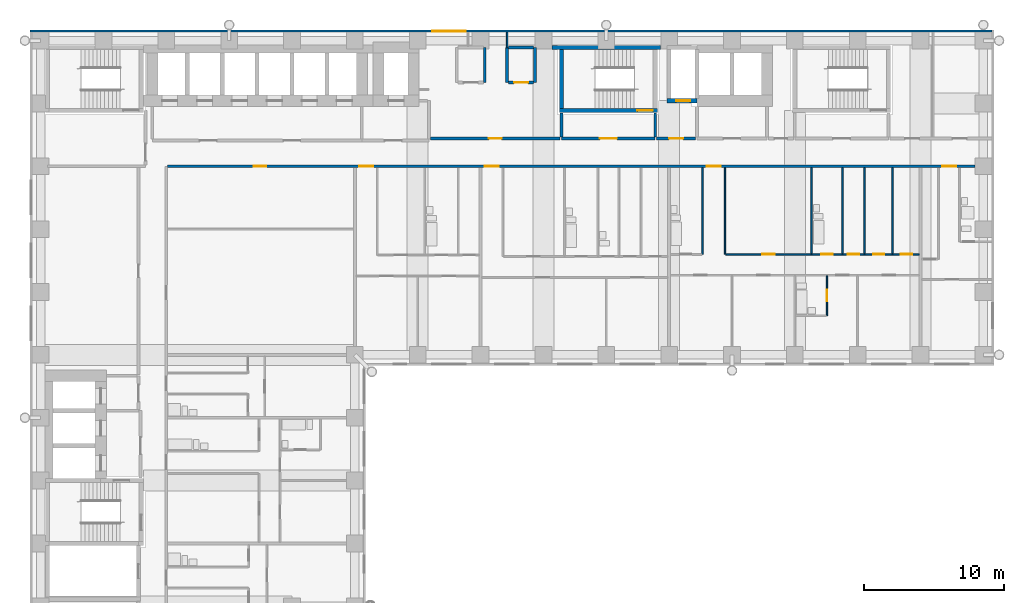
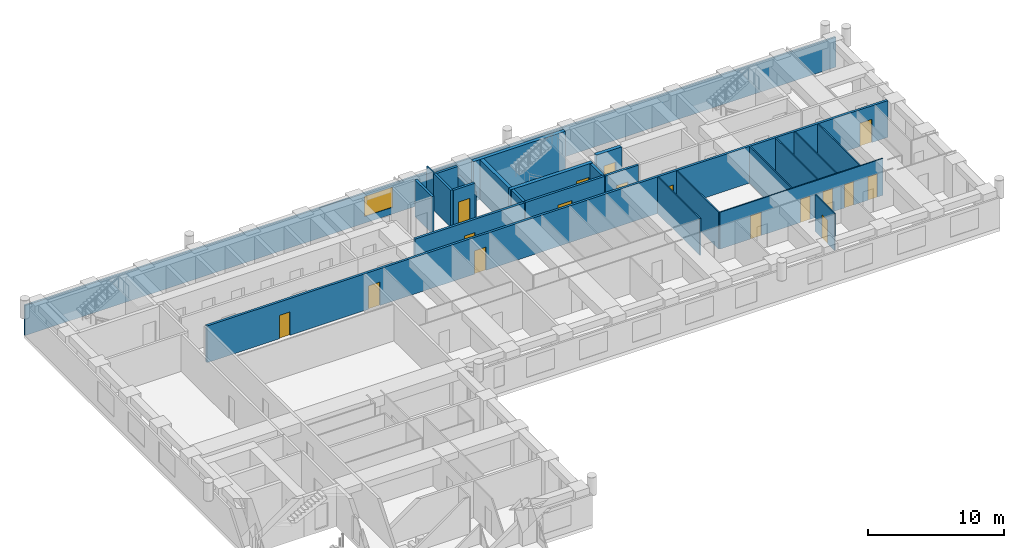
# One storey, part 10 of 14: 25 walls, 17 doors, 1 window, 18 openings.
"""IFC4 building model written with IfcOpenShell, lengths in metres."""

from ifc_helpers import new_model, si_unit, direction, frame, frame_2d, origin, place, context, subcontext, project, spatial, rectangle, extrude, material, layer, layer_set, type_object, element, fill, save


model = new_model("IFC4")

# Units and contexts
model_context = context("Model", 3, precision=1e-05, world=origin(), true_north=direction((0.0, 1.0)))
body_context = subcontext(model_context, "Body", "Model", "MODEL_VIEW")
ifc_project = project(units=[si_unit("LENGTHUNIT", "METRE"), si_unit("AREAUNIT", "SQUARE_METRE"), si_unit("VOLUMEUNIT", "CUBIC_METRE"), si_unit("PLANEANGLEUNIT", "RADIAN"), si_unit("MASSUNIT", "GRAM", prefix="KILO")], contexts=[model_context])

# Site, building, storey
site_placement = place(None, origin())
site = spatial("IfcSite", under=ifc_project, at=site_placement, CompositionType="ELEMENT")
building_placement = place(site_placement, origin())
building = spatial("IfcBuilding", under=site, at=building_placement, Name="Firuza Court", CompositionType="ELEMENT")
storey_placement = place(building_placement, frame((0.0, 0.0, 90.199951171875)))
storey = spatial("IfcBuildingStorey", under=building, at=storey_placement, Name="L22", CompositionType="ELEMENT", Elevation=90.199951171875)

# Wall, opening, door
ifc_material_1 = material(Name="Moisture-resistant gypsum board partition")
ifc_layer_1 = layer(ifc_material_1, 0.10009765625)
ifc_layer_set_1 = layer_set([ifc_layer_1], Name="Moisture-resistant gypsum board partition")
wall_type_1 = type_object("IfcWallType", Name="Bathroom partition 100", PredefinedType="PLUMBINGWALL", material=ifc_layer_set_1)
wall_1_placement = place(storey_placement, frame((56.300048828125, 38.800048828125, 0.0), z_axis=(0.0, 0.0, 1.0), x_axis=(0.0, 1.0, 0.0)))
wall_1 = element("IfcWall", 1, at=wall_1_placement, inside=storey, type_object=wall_type_1, Name="Bathroom partition 100 L22", PredefinedType="PLUMBINGWALL", context=body_context, shape_type="SweptSolid", body=[
    extrude(rectangle(XDim=2.849853515625, YDim=0.10009765625, at=frame_2d((1.4248046875, 0.0))), origin(), (0.0, 0.0, 1.0), 3.300048828125),
])
opening_1_placement = place(wall_1_placement, frame((1.050048828125, 0.0, 0.0)))
opening_1 = element("IfcOpeningElement", 2, at=opening_1_placement, cuts=wall_1, Name="Opening D22042", PredefinedType="OPENING", context=body_context, shape_type="SweptSolid", body=[
    extrude(rectangle(XDim=0.800048828125, YDim=2.10009765625, at=frame_2d((0.39990234375, 1.050048828125))), frame((0.0, 0.06201171875, 0.0), z_axis=(0.0, -1.0, 0.0), x_axis=(1.0, 0.0, 0.0)), (0.0, 0.0, 1.0), 0.1240234375),
])
ifc_material_2 = material(Name="Timber door leaf in hardwood frame", Category="wood")
door_type_1 = type_object("IfcDoorType", Name="Bathroom door 800", OperationType="SINGLE_SWING_LEFT", PredefinedType="DOOR", material=ifc_material_2)
door_1_placement = place(opening_1_placement, origin())
door_1 = element("IfcDoor", 3, at=door_1_placement, inside=storey, type_object=door_type_1, Name="En-suite door", OperationType="SINGLE_SWING_LEFT", OverallHeight=2.10009765625, OverallWidth=0.800048828125, PredefinedType="DOOR", context=body_context, shape_type="SweptSolid", body=[
    extrude(rectangle(XDim=0.800048828125, YDim=2.10009765625, at=frame_2d((0.39990234375, 1.050048828125))), frame((0.0, 0.02490234375, 0.0), z_axis=(0.0, -1.0, 0.0), x_axis=(1.0, 0.0, 0.0)), (0.0, 0.0, 1.0), 0.050048828125),
])
fill(opening_1, door_1)

# Walls
wall_2_placement = place(storey_placement, frame((47.39990234375, 43.199951171875, 0.0), z_axis=(0.0, 0.0, 1.0), x_axis=(0.0, 1.0, 0.0)))
element("IfcWall", 4, at=wall_2_placement, inside=storey, type_object=wall_type_1, Name="Bathroom partition 100 L22", PredefinedType="PLUMBINGWALL", context=body_context, shape_type="SweptSolid", body=[
    extrude(rectangle(XDim=6.199951171875, YDim=0.10009765625, at=frame_2d((3.10009765625, 0.0))), origin(), (0.0, 0.0, 1.0), 3.300048828125),
])
for number, where, z_axis, x_axis, name in (
    (5, (55.199951171875, 43.25, 0.0), (0.0, 0.0, 1.0), (0.0, 1.0, 0.0), "Bathroom partition 100 L22"),
    (6, (57.39990234375, 43.25, 0.0), (0.0, 0.0, 1.0), (0.0, 1.0, 0.0), "Bathroom partition 100 L22"),
):
    element("IfcWall", number, at=place(storey_placement, frame(where, z_axis=z_axis, x_axis=x_axis)), inside=storey, type_object=wall_type_1, Name=name, PredefinedType="PLUMBINGWALL", context=body_context, shape_type="SweptSolid", body=[
        extrude(rectangle(XDim=6.14990234375, YDim=0.10009765625, at=frame_2d((3.074951171875, 0.0))), origin(), (0.0, 0.0, 1.0), 3.300048828125),
    ])
ifc_material_3 = material(Name="Concrete C60/75", Category="concrete")
ifc_layer_2 = layer(ifc_material_3, 0.300048828125)
ifc_layer_set_2 = layer_set([ifc_layer_2], Name="Concrete C60/75")
wall_type_2 = type_object("IfcWallType", Name="Core wall 300 C60/75", PredefinedType="SHEAR", material=ifc_layer_set_2)
wall_3_placement = place(storey_placement, frame((36.60009765625, 58.0, -0.300048828125), z_axis=(0.0, 0.0, 1.0), x_axis=(1.0, 0.0, 0.0)))
element("IfcWall", 7, at=wall_3_placement, inside=storey, type_object=wall_type_2, Name="Core wall stair L22", PredefinedType="SHEAR", context=body_context, shape_type="SweptSolid", body=[
    extrude(rectangle(XDim=7.7998046875, YDim=0.300048828125, at=frame_2d((3.89990234375, 0.0))), origin(), (0.0, 0.0, 1.0), 3.60009765625),
])

# Wall, opening, door
wall_4_placement = place(storey_placement, frame((37.14990234375, 53.5, -0.300048828125), z_axis=(0.0, 0.0, 1.0), x_axis=(1.0, 0.0, 0.0)))
wall_4 = element("IfcWall", 8, at=wall_4_placement, inside=storey, type_object=wall_type_2, Name="Core wall stair L22", PredefinedType="SHEAR", context=body_context, shape_type="SweptSolid", body=[
    extrude(rectangle(XDim=7.0, YDim=0.300048828125, at=frame_2d((3.5, 0.0))), origin(), (0.0, 0.0, 1.0), 3.60009765625),
])
opening_2_placement = place(wall_4_placement, frame((5.580078125, 0.0, 0.300048828125)))
opening_2 = element("IfcOpeningElement", 9, at=opening_2_placement, cuts=wall_4, Name="Opening D22013", PredefinedType="OPENING", context=body_context, shape_type="SweptSolid", body=[
    extrude(rectangle(XDim=1.10009765625, YDim=2.10009765625, at=frame_2d((0.550048828125, 1.050048828125))), frame((0.0, 0.162109375, 0.0), z_axis=(0.0, -1.0, 0.0), x_axis=(1.0, 0.0, 0.0)), (0.0, 0.0, 1.0), 0.323974609375),
])
ifc_material_4 = material(Name="Timber door leaf in hardwood frame", Category="wood")
door_type_2 = type_object("IfcDoorType", Name="Stair door 1100", OperationType="SINGLE_SWING_LEFT", PredefinedType="DOOR", material=ifc_material_4)
door_2_placement = place(opening_2_placement, origin())
door_2 = element("IfcDoor", 10, at=door_2_placement, inside=storey, type_object=door_type_2, Name="Stair door S1", OperationType="SINGLE_SWING_RIGHT", OverallHeight=2.10009765625, OverallWidth=1.10009765625, PredefinedType="DOOR", context=body_context, shape_type="SweptSolid", body=[
    extrude(rectangle(XDim=1.10009765625, YDim=2.10009765625, at=frame_2d((0.550048828125, 1.050048828125))), frame((0.0, 0.02490234375, 0.0), z_axis=(0.0, -1.0, 0.0), x_axis=(1.0, 0.0, 0.0)), (0.0, 0.0, 1.0), 0.050048828125),
])
fill(opening_2, door_2)

# Wall
wall_5_placement = place(storey_placement, frame((37.300048828125, 53.64990234375, -0.300048828125), z_axis=(0.0, 0.0, 1.0), x_axis=(0.0, 1.0, 0.0)))
element("IfcWall", 11, at=wall_5_placement, inside=storey, type_object=wall_type_2, Name="Core wall stair L22", PredefinedType="SHEAR", context=body_context, shape_type="SweptSolid", body=[
    extrude(rectangle(XDim=4.2001953125, YDim=0.300048828125, at=frame_2d((2.10009765625, 0.0))), origin(), (0.0, 0.0, 1.0), 3.60009765625),
])

# Wall, opening, door
wall_6_placement = place(storey_placement, frame((44.85009765625, 54.199951171875, -0.300048828125), z_axis=(0.0, 0.0, 1.0), x_axis=(1.0, 0.0, 0.0)))
wall_6 = element("IfcWall", 12, at=wall_6_placement, inside=storey, type_object=wall_type_2, Name="Core wall riser L22", PredefinedType="SHEAR", context=body_context, shape_type="SweptSolid", body=[
    extrude(rectangle(XDim=2.14990234375, YDim=0.300048828125, at=frame_2d((1.074951171875, 0.0))), origin(), (0.0, 0.0, 1.0), 3.60009765625),
])
opening_3_placement = place(wall_6_placement, frame((0.64990234375, 0.0, 0.300048828125)))
opening_3 = element("IfcOpeningElement", 13, at=opening_3_placement, cuts=wall_6, Name="Opening D22011", PredefinedType="OPENING", context=body_context, shape_type="SweptSolid", body=[
    extrude(rectangle(XDim=1.0, YDim=2.10009765625, at=frame_2d((0.5, 1.050048828125))), frame((0.0, 0.162109375, 0.0), z_axis=(0.0, -1.0, 0.0), x_axis=(1.0, 0.0, 0.0)), (0.0, 0.0, 1.0), 0.323974609375),
])
ifc_material_5 = material(Name="Timber door leaf in hardwood frame", Category="wood")
door_type_3 = type_object("IfcDoorType", Name="Riser door 1000", OperationType="SINGLE_SWING_LEFT", PredefinedType="DOOR", material=ifc_material_5)
door_3_placement = place(opening_3_placement, origin())
door_3 = element("IfcDoor", 14, at=door_3_placement, inside=storey, type_object=door_type_3, Name="Riser door R3", OperationType="SINGLE_SWING_LEFT", OverallHeight=2.10009765625, OverallWidth=1.0, PredefinedType="DOOR", context=body_context, shape_type="SweptSolid", body=[
    extrude(rectangle(XDim=1.0, YDim=2.10009765625, at=frame_2d((0.5, 1.050048828125))), frame((0.0, 0.02490234375, 0.0), z_axis=(0.0, -1.0, 0.0), x_axis=(1.0, 0.0, 0.0)), (0.0, 0.0, 1.0), 0.050048828125),
])
fill(opening_3, door_3)

# Wall, openings, doors
ifc_material_6 = material(Name="Blockwork, plastered both sides", Category="masonry")
ifc_layer_3 = layer(ifc_material_6, 0.199951171875)
ifc_layer_set_3 = layer_set([ifc_layer_3], Name="Blockwork, plastered both sides")
wall_type_3 = type_object("IfcWallType", Name="Corridor wall 200", PredefinedType="PARTITIONING", material=ifc_layer_set_3)
wall_7_placement = place(storey_placement, frame((9.10009765625, 49.5, 0.0), z_axis=(0.0, 0.0, 1.0), x_axis=(1.0, 0.0, 0.0)))
wall_7 = element("IfcWall", 15, at=wall_7_placement, inside=storey, type_object=wall_type_3, Name="Corridor wall 200 L22", PredefinedType="PARTITIONING", context=body_context, shape_type="SweptSolid", body=[
    extrude(rectangle(XDim=57.7998046875, YDim=0.199951171875, at=frame_2d((28.89990234375, 0.0))), origin(), (0.0, 0.0, 1.0), 3.300048828125),
])
opening_4_placement = place(wall_7_placement, frame((13.699951171875, 0.0, 0.0)))
opening_4 = element("IfcOpeningElement", 16, at=opening_4_placement, cuts=wall_7, Name="Opening D22068", PredefinedType="OPENING", context=body_context, shape_type="SweptSolid", body=[
    extrude(rectangle(XDim=1.0, YDim=2.10009765625, at=frame_2d((0.5, 1.050048828125))), frame((0.0, 0.11181640625, 0.0), z_axis=(0.0, -1.0, 0.0), x_axis=(1.0, 0.0, 0.0)), (0.0, 0.0, 1.0), 0.223876953125),
])
opening_5_placement = place(wall_7_placement, frame((22.699951171875, 0.0, 0.0)))
opening_5 = element("IfcOpeningElement", 17, at=opening_5_placement, cuts=wall_7, Name="Opening D22069", PredefinedType="OPENING", context=body_context, shape_type="SweptSolid", body=[
    extrude(rectangle(XDim=1.0, YDim=2.10009765625, at=frame_2d((0.5, 1.050048828125))), frame((0.0, 0.11181640625, 0.0), z_axis=(0.0, -1.0, 0.0), x_axis=(1.0, 0.0, 0.0)), (0.0, 0.0, 1.0), 0.223876953125),
])
opening_6_placement = place(wall_7_placement, frame((38.60009765625, 0.0, 0.0)))
opening_6 = element("IfcOpeningElement", 18, at=opening_6_placement, cuts=wall_7, Name="Opening D22070", PredefinedType="OPENING", context=body_context, shape_type="SweptSolid", body=[
    extrude(rectangle(XDim=1.0, YDim=2.10009765625, at=frame_2d((0.5, 1.050048828125))), frame((0.0, 0.11181640625, 0.0), z_axis=(0.0, -1.0, 0.0), x_axis=(1.0, 0.0, 0.0)), (0.0, 0.0, 1.0), 0.223876953125),
])
opening_7_placement = place(wall_7_placement, frame((55.449951171875, 0.0, 0.0)))
opening_7 = element("IfcOpeningElement", 19, at=opening_7_placement, cuts=wall_7, Name="Opening D22071", PredefinedType="OPENING", context=body_context, shape_type="SweptSolid", body=[
    extrude(rectangle(XDim=1.0, YDim=2.10009765625, at=frame_2d((0.5, 1.050048828125))), frame((0.0, 0.11181640625, 0.0), z_axis=(0.0, -1.0, 0.0), x_axis=(1.0, 0.0, 0.0)), (0.0, 0.0, 1.0), 0.223876953125),
])
opening_8_placement = place(wall_7_placement, frame((6.14990234375, 0.0, 0.0)))
opening_8 = element("IfcOpeningElement", 20, at=opening_8_placement, cuts=wall_7, Name="Opening D22072", PredefinedType="OPENING", context=body_context, shape_type="SweptSolid", body=[
    extrude(rectangle(XDim=0.89990234375, YDim=2.10009765625, at=frame_2d((0.449951171875, 1.050048828125))), frame((0.0, 0.11181640625, 0.0), z_axis=(0.0, -1.0, 0.0), x_axis=(1.0, 0.0, 0.0)), (0.0, 0.0, 1.0), 0.223876953125),
])
ifc_material_7 = material(Name="Timber door leaf in hardwood frame", Category="wood")
door_type_4 = type_object("IfcDoorType", Name="Flat entrance door 1000", OperationType="SINGLE_SWING_LEFT", PredefinedType="DOOR", material=ifc_material_7)
door_4_placement = place(opening_4_placement, origin())
door_4 = element("IfcDoor", 21, at=door_4_placement, inside=storey, type_object=door_type_4, Name="Flat entrance door", OperationType="SINGLE_SWING_LEFT", OverallHeight=2.10009765625, OverallWidth=1.0, PredefinedType="DOOR", context=body_context, shape_type="SweptSolid", body=[
    extrude(rectangle(XDim=1.0, YDim=2.10009765625, at=frame_2d((0.5, 1.050048828125))), frame((0.0, 0.02490234375, 0.0), z_axis=(0.0, -1.0, 0.0), x_axis=(1.0, 0.0, 0.0)), (0.0, 0.0, 1.0), 0.050048828125),
])
fill(opening_4, door_4)
door_5_placement = place(opening_5_placement, origin())
door_5 = element("IfcDoor", 22, at=door_5_placement, inside=storey, type_object=door_type_4, Name="Flat entrance door", OperationType="SINGLE_SWING_LEFT", OverallHeight=2.10009765625, OverallWidth=1.0, PredefinedType="DOOR", context=body_context, shape_type="SweptSolid", body=[
    extrude(rectangle(XDim=1.0, YDim=2.10009765625, at=frame_2d((0.5, 1.050048828125))), frame((0.0, 0.02490234375, 0.0), z_axis=(0.0, -1.0, 0.0), x_axis=(1.0, 0.0, 0.0)), (0.0, 0.0, 1.0), 0.050048828125),
])
fill(opening_5, door_5)
door_6_placement = place(opening_6_placement, origin())
door_6 = element("IfcDoor", 23, at=door_6_placement, inside=storey, type_object=door_type_4, Name="Flat entrance door", OperationType="SINGLE_SWING_LEFT", OverallHeight=2.10009765625, OverallWidth=1.0, PredefinedType="DOOR", context=body_context, shape_type="SweptSolid", body=[
    extrude(rectangle(XDim=1.0, YDim=2.10009765625, at=frame_2d((0.5, 1.050048828125))), frame((0.0, 0.02490234375, 0.0), z_axis=(0.0, -1.0, 0.0), x_axis=(1.0, 0.0, 0.0)), (0.0, 0.0, 1.0), 0.050048828125),
])
fill(opening_6, door_6)
door_7_placement = place(opening_7_placement, origin())
door_7 = element("IfcDoor", 24, at=door_7_placement, inside=storey, type_object=door_type_4, Name="Flat entrance door", OperationType="SINGLE_SWING_RIGHT", OverallHeight=2.10009765625, OverallWidth=1.0, PredefinedType="DOOR", context=body_context, shape_type="SweptSolid", body=[
    extrude(rectangle(XDim=1.0, YDim=2.10009765625, at=frame_2d((0.5, 1.050048828125))), frame((0.0, 0.02490234375, 0.0), z_axis=(0.0, -1.0, 0.0), x_axis=(1.0, 0.0, 0.0)), (0.0, 0.0, 1.0), 0.050048828125),
])
fill(opening_7, door_7)
ifc_material_8 = material(Name="Timber door leaf in hardwood frame", Category="wood")
door_type_5 = type_object("IfcDoorType", Name="Room door 900 EI 30", OperationType="SINGLE_SWING_LEFT", PredefinedType="DOOR", material=ifc_material_8)
door_8_placement = place(opening_8_placement, frame((0.89990234375, 0.0, 0.0), z_axis=(0.0, 0.0, 1.0), x_axis=(-1.0, 0.0, 0.0)))
door_8 = element("IfcDoor", 25, at=door_8_placement, inside=storey, type_object=door_type_5, Name="Library door", OperationType="SINGLE_SWING_RIGHT", OverallHeight=2.10009765625, OverallWidth=0.89990234375, PredefinedType="DOOR", context=body_context, shape_type="SweptSolid", body=[
    extrude(rectangle(XDim=0.89990234375, YDim=2.10009765625, at=frame_2d((0.449951171875, 1.050048828125))), frame((0.0, 0.02490234375, 0.0), z_axis=(0.0, -1.0, 0.0), x_axis=(1.0, 0.0, 0.0)), (0.0, 0.0, 1.0), 0.050048828125),
])
fill(opening_8, door_8)

# Wall, opening, door
wall_8_placement = place(storey_placement, frame((27.89990234375, 51.5, 0.0), z_axis=(0.0, 0.0, 1.0), x_axis=(1.0, 0.0, 0.0)))
wall_8 = element("IfcWall", 26, at=wall_8_placement, inside=storey, type_object=wall_type_3, Name="Corridor wall 200 L22", PredefinedType="PARTITIONING", context=body_context, shape_type="SweptSolid", body=[
    extrude(rectangle(XDim=9.300048828125, YDim=0.199951171875, at=frame_2d((4.64990234375, 0.0))), origin(), (0.0, 0.0, 1.0), 3.300048828125),
])
opening_9_placement = place(wall_8_placement, frame((4.199951171875, 0.0, 0.0)))
opening_9 = element("IfcOpeningElement", 27, at=opening_9_placement, cuts=wall_8, Name="Opening D22073", PredefinedType="OPENING", context=body_context, shape_type="SweptSolid", body=[
    extrude(rectangle(XDim=0.89990234375, YDim=2.10009765625, at=frame_2d((0.449951171875, 1.050048828125))), frame((0.0, 0.11181640625, 0.0), z_axis=(0.0, -1.0, 0.0), x_axis=(1.0, 0.0, 0.0)), (0.0, 0.0, 1.0), 0.223876953125),
])
door_9_placement = place(opening_9_placement, origin())
door_9 = element("IfcDoor", 28, at=door_9_placement, inside=storey, type_object=door_type_5, Name="Meeting room door", OperationType="SINGLE_SWING_LEFT", OverallHeight=2.10009765625, OverallWidth=0.89990234375, PredefinedType="DOOR", context=body_context, shape_type="SweptSolid", body=[
    extrude(rectangle(XDim=0.89990234375, YDim=2.10009765625, at=frame_2d((0.449951171875, 1.050048828125))), frame((0.0, 0.02490234375, 0.0), z_axis=(0.0, -1.0, 0.0), x_axis=(1.0, 0.0, 0.0)), (0.0, 0.0, 1.0), 0.050048828125),
])
fill(opening_9, door_9)

wall_9_placement = place(storey_placement, frame((44.10009765625, 51.5, 0.0), z_axis=(0.0, 0.0, 1.0), x_axis=(1.0, 0.0, 0.0)))
wall_9 = element("IfcWall", 29, at=wall_9_placement, inside=storey, type_object=wall_type_3, Name="Corridor wall 200 L22", PredefinedType="PARTITIONING", context=body_context, shape_type="SweptSolid", body=[
    extrude(rectangle(XDim=2.7998046875, YDim=0.199951171875, at=frame_2d((1.39990234375, 0.0))), origin(), (0.0, 0.0, 1.0), 3.300048828125),
])
opening_10_placement = place(wall_9_placement, frame((0.89990234375, 0.0, 0.0)))
opening_10 = element("IfcOpeningElement", 30, at=opening_10_placement, cuts=wall_9, Name="Opening D22074", PredefinedType="OPENING", context=body_context, shape_type="SweptSolid", body=[
    extrude(rectangle(XDim=1.0, YDim=2.10009765625, at=frame_2d((0.5, 1.050048828125))), frame((0.0, 0.11181640625, 0.0), z_axis=(0.0, -1.0, 0.0), x_axis=(1.0, 0.0, 0.0)), (0.0, 0.0, 1.0), 0.223876953125),
])
ifc_material_9 = material(Name="Timber door leaf in hardwood frame", Category="wood")
door_type_6 = type_object("IfcDoorType", Name="Store door 1000", OperationType="SINGLE_SWING_LEFT", PredefinedType="DOOR", material=ifc_material_9)
door_10_placement = place(opening_10_placement, origin())
door_10 = element("IfcDoor", 31, at=door_10_placement, inside=storey, type_object=door_type_6, Name="Valet store door", OperationType="SINGLE_SWING_LEFT", OverallHeight=2.10009765625, OverallWidth=1.0, PredefinedType="DOOR", context=body_context, shape_type="SweptSolid", body=[
    extrude(rectangle(XDim=1.0, YDim=2.10009765625, at=frame_2d((0.5, 1.050048828125))), frame((0.0, 0.02490234375, 0.0), z_axis=(0.0, -1.0, 0.0), x_axis=(1.0, 0.0, 0.0)), (0.0, 0.0, 1.0), 0.050048828125),
])
fill(opening_10, door_10)

# Wall
ifc_material_10 = material(Name="Timber stud partition, plasterboard both sides", Category="wood")
ifc_layer_4 = layer(ifc_material_10, 0.10009765625)
ifc_layer_set_4 = layer_set([ifc_layer_4], Name="Timber stud partition, plasterboard both sides")
wall_type_4 = type_object("IfcWallType", Name="Partition wall 100", PredefinedType="PARTITIONING", material=ifc_layer_set_4)
wall_10_placement = place(storey_placement, frame((49.0, 43.199951171875, 0.0), z_axis=(0.0, 0.0, 1.0), x_axis=(0.0, 1.0, 0.0)))
element("IfcWall", 32, at=wall_10_placement, inside=storey, type_object=wall_type_4, Name="Partition wall 100 L22", PredefinedType="PARTITIONING", context=body_context, shape_type="SweptSolid", body=[
    extrude(rectangle(XDim=6.199951171875, YDim=0.10009765625, at=frame_2d((3.10009765625, 0.0))), origin(), (0.0, 0.0, 1.0), 3.300048828125),
])

# Wall, openings, doors
wall_11_placement = place(storey_placement, frame((49.050048828125, 43.199951171875, 0.0), z_axis=(0.0, 0.0, 1.0), x_axis=(1.0, 0.0, 0.0)))
wall_11 = element("IfcWall", 33, at=wall_11_placement, inside=storey, type_object=wall_type_4, Name="Partition wall 100 L22", PredefinedType="PARTITIONING", context=body_context, shape_type="SweptSolid", body=[
    extrude(rectangle(XDim=13.849853515625, YDim=0.10009765625, at=frame_2d((6.9248046875, 0.0))), origin(), (0.0, 0.0, 1.0), 3.300048828125),
])
opening_11_placement = place(wall_11_placement, frame((6.85009765625, 0.0, 0.0)))
opening_11 = element("IfcOpeningElement", 34, at=opening_11_placement, cuts=wall_11, Name="Opening D22062", PredefinedType="OPENING", context=body_context, shape_type="SweptSolid", body=[
    extrude(rectangle(XDim=0.800048828125, YDim=2.10009765625, at=frame_2d((0.39990234375, 1.050048828125))), frame((0.0, 0.06201171875, 0.0), z_axis=(0.0, -1.0, 0.0), x_axis=(1.0, 0.0, 0.0)), (0.0, 0.0, 1.0), 0.1240234375),
])
opening_12_placement = place(wall_11_placement, frame((2.60009765625, 0.0, 0.0)))
opening_12 = element("IfcOpeningElement", 35, at=opening_12_placement, cuts=wall_11, Name="Opening D22063", PredefinedType="OPENING", context=body_context, shape_type="SweptSolid", body=[
    extrude(rectangle(XDim=0.89990234375, YDim=2.10009765625, at=frame_2d((0.449951171875, 1.050048828125))), frame((0.0, 0.06201171875, 0.0), z_axis=(0.0, -1.0, 0.0), x_axis=(1.0, 0.0, 0.0)), (0.0, 0.0, 1.0), 0.1240234375),
])
opening_13_placement = place(wall_11_placement, frame((12.550048828125, 0.0, 0.0)))
opening_13 = element("IfcOpeningElement", 36, at=opening_13_placement, cuts=wall_11, Name="Opening D22064", PredefinedType="OPENING", context=body_context, shape_type="SweptSolid", body=[
    extrude(rectangle(XDim=0.800048828125, YDim=2.10009765625, at=frame_2d((0.39990234375, 1.050048828125))), frame((0.0, 0.06201171875, 0.0), z_axis=(0.0, -1.0, 0.0), x_axis=(1.0, 0.0, 0.0)), (0.0, 0.0, 1.0), 0.1240234375),
])
opening_14_placement = place(wall_11_placement, frame((8.75, 0.0, 0.0)))
opening_14 = element("IfcOpeningElement", 37, at=opening_14_placement, cuts=wall_11, Name="Opening D22065", PredefinedType="OPENING", context=body_context, shape_type="SweptSolid", body=[
    extrude(rectangle(XDim=0.800048828125, YDim=2.10009765625, at=frame_2d((0.39990234375, 1.050048828125))), frame((0.0, 0.06201171875, 0.0), z_axis=(0.0, -1.0, 0.0), x_axis=(1.0, 0.0, 0.0)), (0.0, 0.0, 1.0), 0.1240234375),
])
opening_15_placement = place(wall_11_placement, frame((10.550048828125, 0.0, 0.0)))
opening_15 = element("IfcOpeningElement", 38, at=opening_15_placement, cuts=wall_11, Name="Opening D22066", PredefinedType="OPENING", context=body_context, shape_type="SweptSolid", body=[
    extrude(rectangle(XDim=0.800048828125, YDim=2.10009765625, at=frame_2d((0.39990234375, 1.050048828125))), frame((0.0, 0.06201171875, 0.0), z_axis=(0.0, -1.0, 0.0), x_axis=(1.0, 0.0, 0.0)), (0.0, 0.0, 1.0), 0.1240234375),
])
door_11_placement = place(opening_11_placement, origin())
door_11 = element("IfcDoor", 39, at=door_11_placement, inside=storey, type_object=door_type_1, Name="Bathroom 2 door", OperationType="SINGLE_SWING_LEFT", OverallHeight=2.10009765625, OverallWidth=0.800048828125, PredefinedType="DOOR", context=body_context, shape_type="SweptSolid", body=[
    extrude(rectangle(XDim=0.800048828125, YDim=2.10009765625, at=frame_2d((0.39990234375, 1.050048828125))), frame((0.0, 0.02490234375, 0.0), z_axis=(0.0, -1.0, 0.0), x_axis=(1.0, 0.0, 0.0)), (0.0, 0.0, 1.0), 0.050048828125),
])
fill(opening_11, door_11)
ifc_material_11 = material(Name="Timber door leaf in hardwood frame", Category="wood")
door_type_7 = type_object("IfcDoorType", Name="Room door 800", OperationType="SINGLE_SWING_LEFT", PredefinedType="DOOR", material=ifc_material_11)
door_12_placement = place(opening_13_placement, origin())
door_12 = element("IfcDoor", 40, at=door_12_placement, inside=storey, type_object=door_type_7, Name="Pantry door", OperationType="SINGLE_SWING_LEFT", OverallHeight=2.10009765625, OverallWidth=0.800048828125, PredefinedType="DOOR", context=body_context, shape_type="SweptSolid", body=[
    extrude(rectangle(XDim=0.800048828125, YDim=2.10009765625, at=frame_2d((0.39990234375, 1.050048828125))), frame((0.0, 0.02490234375, 0.0), z_axis=(0.0, -1.0, 0.0), x_axis=(1.0, 0.0, 0.0)), (0.0, 0.0, 1.0), 0.050048828125),
])
fill(opening_13, door_12)
door_13_placement = place(opening_14_placement, origin())
door_13 = element("IfcDoor", 41, at=door_13_placement, inside=storey, type_object=door_type_7, Name="Store door", OperationType="SINGLE_SWING_LEFT", OverallHeight=2.10009765625, OverallWidth=0.800048828125, PredefinedType="DOOR", context=body_context, shape_type="SweptSolid", body=[
    extrude(rectangle(XDim=0.800048828125, YDim=2.10009765625, at=frame_2d((0.39990234375, 1.050048828125))), frame((0.0, 0.02490234375, 0.0), z_axis=(0.0, -1.0, 0.0), x_axis=(1.0, 0.0, 0.0)), (0.0, 0.0, 1.0), 0.050048828125),
])
fill(opening_14, door_13)
door_14_placement = place(opening_15_placement, origin())
door_14 = element("IfcDoor", 42, at=door_14_placement, inside=storey, type_object=door_type_7, Name="Utility room door", OperationType="SINGLE_SWING_LEFT", OverallHeight=2.10009765625, OverallWidth=0.800048828125, PredefinedType="DOOR", context=body_context, shape_type="SweptSolid", body=[
    extrude(rectangle(XDim=0.800048828125, YDim=2.10009765625, at=frame_2d((0.39990234375, 1.050048828125))), frame((0.0, 0.02490234375, 0.0), z_axis=(0.0, -1.0, 0.0), x_axis=(1.0, 0.0, 0.0)), (0.0, 0.0, 1.0), 0.050048828125),
])
fill(opening_15, door_14)
ifc_material_12 = material(Name="Timber door leaf in hardwood frame", Category="wood")
door_type_8 = type_object("IfcDoorType", Name="Room door 900", OperationType="SINGLE_SWING_LEFT", PredefinedType="DOOR", material=ifc_material_12)
door_15_placement = place(opening_12_placement, origin())
door_15 = element("IfcDoor", 43, at=door_15_placement, inside=storey, type_object=door_type_8, Name="Kitchen door", OperationType="SINGLE_SWING_LEFT", OverallHeight=2.10009765625, OverallWidth=0.89990234375, PredefinedType="DOOR", context=body_context, shape_type="SweptSolid", body=[
    extrude(rectangle(XDim=0.89990234375, YDim=2.10009765625, at=frame_2d((0.449951171875, 1.050048828125))), frame((0.0, 0.02490234375, 0.0), z_axis=(0.0, -1.0, 0.0), x_axis=(1.0, 0.0, 0.0)), (0.0, 0.0, 1.0), 0.050048828125),
])
fill(opening_12, door_15)

# Walls
for number, where, z_axis, x_axis, name in (
    (44, (59.0, 43.25, 0.0), (0.0, 0.0, 1.0), (0.0, 1.0, 0.0), "Partition wall 100 L22"),
    (45, (61.0, 43.25, 0.0), (0.0, 0.0, 1.0), (0.0, 1.0, 0.0), "Partition wall 100 L22"),
):
    element("IfcWall", number, at=place(storey_placement, frame(where, z_axis=z_axis, x_axis=x_axis)), inside=storey, type_object=wall_type_4, Name=name, PredefinedType="PARTITIONING", context=body_context, shape_type="SweptSolid", body=[
        extrude(rectangle(XDim=6.14990234375, YDim=0.10009765625, at=frame_2d((3.074951171875, 0.0))), origin(), (0.0, 0.0, 1.0), 3.300048828125),
    ])
wall_12_placement = place(storey_placement, frame((33.39990234375, 58.0, 0.0), z_axis=(0.0, 0.0, 1.0), x_axis=(0.0, 1.0, 0.0)))
element("IfcWall", 46, at=wall_12_placement, inside=storey, type_object=wall_type_4, Name="Partition wall 100 L22", PredefinedType="PARTITIONING", context=body_context, shape_type="SweptSolid", body=[
    extrude(rectangle(XDim=1.10009765625, YDim=0.10009765625, at=frame_2d((0.550048828125, 0.0))), origin(), (0.0, 0.0, 1.0), 3.300048828125),
])
ifc_material_13 = material(Name="Blockwork, fire-rated", Category="masonry")
ifc_layer_5 = layer(ifc_material_13, 0.199951171875)
ifc_layer_set_5 = layer_set([ifc_layer_5], Name="Blockwork, fire-rated")
wall_type_5 = type_object("IfcWallType", Name="Plant room wall 200", PredefinedType="PARTITIONING", material=ifc_layer_set_5)
for number, where, z_axis, x_axis, name in (
    (47, (31.800048828125, 55.5, 0.0), (0.0, 0.0, 1.0), (0.0, 1.0, 0.0), "Plant room wall 200 L22"),
    (48, (33.39990234375, 55.5, 0.0), (0.0, 0.0, 1.0), (0.0, 1.0, 0.0), "Plant room wall 200 L22"),
):
    element("IfcWall", number, at=place(storey_placement, frame(where, z_axis=z_axis, x_axis=x_axis)), inside=storey, type_object=wall_type_5, Name=name, PredefinedType="PARTITIONING", context=body_context, shape_type="SweptSolid", body=[
        extrude(rectangle(XDim=2.5, YDim=0.199951171875, at=frame_2d((1.25, 0.0))), origin(), (0.0, 0.0, 1.0), 3.300048828125),
    ])

# Wall, opening, door
wall_13_placement = place(storey_placement, frame((33.5, 55.5, 0.0), z_axis=(0.0, 0.0, 1.0), x_axis=(1.0, 0.0, 0.0)))
wall_13 = element("IfcWall", 49, at=wall_13_placement, inside=storey, type_object=wall_type_5, Name="Plant room wall 200 L22", PredefinedType="PARTITIONING", context=body_context, shape_type="SweptSolid", body=[
    extrude(rectangle(XDim=1.800048828125, YDim=0.199951171875, at=frame_2d((0.89990234375, 0.0))), origin(), (0.0, 0.0, 1.0), 3.300048828125),
])
opening_16_placement = place(wall_13_placement, frame((0.39990234375, 0.0, 0.0)))
opening_16 = element("IfcOpeningElement", 50, at=opening_16_placement, cuts=wall_13, Name="Opening D22079", PredefinedType="OPENING", context=body_context, shape_type="SweptSolid", body=[
    extrude(rectangle(XDim=1.0, YDim=2.10009765625, at=frame_2d((0.5, 1.050048828125))), frame((0.0, 0.11181640625, 0.0), z_axis=(0.0, -1.0, 0.0), x_axis=(1.0, 0.0, 0.0)), (0.0, 0.0, 1.0), 0.223876953125),
])
door_16_placement = place(opening_16_placement, origin())
door_16 = element("IfcDoor", 51, at=door_16_placement, inside=storey, type_object=door_type_3, Name="Duct riser door", OperationType="SINGLE_SWING_LEFT", OverallHeight=2.10009765625, OverallWidth=1.0, PredefinedType="DOOR", context=body_context, shape_type="SweptSolid", body=[
    extrude(rectangle(XDim=1.0, YDim=2.10009765625, at=frame_2d((0.5, 1.050048828125))), frame((0.0, 0.02490234375, 0.0), z_axis=(0.0, -1.0, 0.0), x_axis=(1.0, 0.0, 0.0)), (0.0, 0.0, 1.0), 0.050048828125),
])
fill(opening_16, door_16)

# Walls
wall_14_placement = place(storey_placement, frame((35.39990234375, 55.5, 0.0), z_axis=(0.0, 0.0, 1.0), x_axis=(0.0, 1.0, 0.0)))
element("IfcWall", 52, at=wall_14_placement, inside=storey, type_object=wall_type_5, Name="Plant room wall 200 L22", PredefinedType="PARTITIONING", context=body_context, shape_type="SweptSolid", body=[
    extrude(rectangle(XDim=2.5, YDim=0.199951171875, at=frame_2d((1.25, 0.0))), origin(), (0.0, 0.0, 1.0), 2.400146484375),
])
wall_15_placement = place(storey_placement, frame((33.5, 58.0, 0.0), z_axis=(0.0, 0.0, 1.0), x_axis=(1.0, 0.0, 0.0)))
element("IfcWall", 53, at=wall_15_placement, inside=storey, type_object=wall_type_5, Name="Plant room wall 200 L22", PredefinedType="PARTITIONING", context=body_context, shape_type="SweptSolid", body=[
    extrude(rectangle(XDim=1.800048828125, YDim=0.199951171875, at=frame_2d((0.89990234375, 0.0))), origin(), (0.0, 0.0, 1.0), 3.300048828125),
])

# Wall, opening, window
ifc_material_14 = material(Name="Ceramic tile", Category="ceramic")
ifc_layer_6 = layer(ifc_material_14, 0.02001953125)
ifc_material_15 = material(Name="Mineral wool insulation", Category="insulation")
ifc_layer_7 = layer(ifc_material_15, 0.050048828125)
ifc_material_16 = material(Name="Concrete C40/50 precast", Category="concrete")
ifc_layer_8 = layer(ifc_material_16, 0.080078125)
ifc_layer_set_6 = layer_set([ifc_layer_6, ifc_layer_7, ifc_layer_8], Name="Concrete C40/50 precast")
wall_type_6 = type_object("IfcWallType", Name="Precast cladding wall with turquoise TILE PANEL face 150", PredefinedType="STANDARD", material=ifc_layer_set_6)
wall_16_placement = place(storey_placement, frame((68.10009765625, 59.175048828125, 0.0), z_axis=(0.0, 0.0, 1.0), x_axis=(-1.0, 0.0, 0.0)))
wall_16 = element("IfcWall", 54, at=wall_16_placement, inside=storey, type_object=wall_type_6, Name="Facade wall L22 N", PredefinedType="STANDARD", context=body_context, shape_type="SweptSolid", body=[
    extrude(rectangle(XDim=68.85009765625, YDim=0.14990234375, at=frame_2d((34.425048828125, 0.0))), origin(), (0.0, 0.0, 1.0), 2.699951171875),
])
opening_17_placement = place(wall_16_placement, frame((37.64990234375, 0.0, 0.60009765625)))
opening_17 = element("IfcOpeningElement", 55, at=opening_17_placement, cuts=wall_16, Name="Opening W1", PredefinedType="OPENING", context=body_context, shape_type="SweptSolid", body=[
    extrude(rectangle(XDim=2.39990234375, YDim=1.800048828125, at=frame_2d((1.199951171875, 0.89990234375))), frame((0.0, 0.0869140625, 0.0), z_axis=(0.0, -1.0, 0.0), x_axis=(1.0, 0.0, 0.0)), (0.0, 0.0, 1.0), 0.173828125),
])
ifc_material_17 = material(Name="Aluminium frame, triple clear glazing", Category="aluminium")
window_type = type_object("IfcWindowType", Name="Window W1 2400 x 1800", PartitioningType="SINGLE_PANEL", PredefinedType="WINDOW", material=ifc_material_17)
window_placement = place(opening_17_placement, origin())
window = element("IfcWindow", 56, at=window_placement, inside=storey, type_object=window_type, Name="Window L22", OverallHeight=1.800048828125, OverallWidth=2.39990234375, PartitioningType="SINGLE_PANEL", PredefinedType="WINDOW", context=body_context, shape_type="SweptSolid", body=[
    extrude(rectangle(XDim=2.39990234375, YDim=1.800048828125, at=frame_2d((1.199951171875, 0.89990234375))), frame((0.0, 0.030029296875, 0.0), z_axis=(0.0, -1.0, 0.0), x_axis=(1.0, 0.0, 0.0)), (0.0, 0.0, 1.0), 0.06005859375),
])
fill(opening_17, window)

# Wall, opening, door
ifc_layer_9 = layer(ifc_material_13, 0.199951171875)
ifc_layer_set_7 = layer_set([ifc_layer_9], Name="Blockwork, fire-rated")
wall_type_7 = type_object("IfcWallType", Name="Shaft wall 200", PredefinedType="PARTITIONING", material=ifc_layer_set_7)
wall_17_placement = place(storey_placement, frame((37.300048828125, 51.5, 0.0), z_axis=(0.0, 0.0, 1.0), x_axis=(1.0, 0.0, 0.0)))
wall_17 = element("IfcWall", 57, at=wall_17_placement, inside=storey, type_object=wall_type_7, Name="Shaft wall 200 L22", PredefinedType="PARTITIONING", context=body_context, shape_type="SweptSolid", body=[
    extrude(rectangle(XDim=6.699951171875, YDim=0.199951171875, at=frame_2d((3.35009765625, 0.0))), origin(), (0.0, 0.0, 1.0), 3.300048828125),
])
opening_18_placement = place(wall_17_placement, frame((2.75, 0.0, 0.0)))
opening_18 = element("IfcOpeningElement", 58, at=opening_18_placement, cuts=wall_17, Name="Opening D22006", PredefinedType="OPENING", context=body_context, shape_type="SweptSolid", body=[
    extrude(rectangle(XDim=1.199951171875, YDim=2.10009765625, at=frame_2d((0.60009765625, 1.050048828125))), frame((0.0, 0.11181640625, 0.0), z_axis=(0.0, -1.0, 0.0), x_axis=(1.0, 0.0, 0.0)), (0.0, 0.0, 1.0), 0.223876953125),
])
ifc_material_18 = material(Name="Timber door leaf in hardwood frame", Category="wood")
door_type_9 = type_object("IfcDoorType", Name="Lobby door 1200", OperationType="SINGLE_SWING_LEFT", PredefinedType="DOOR", material=ifc_material_18)
door_17_placement = place(opening_18_placement, origin())
door_17 = element("IfcDoor", 59, at=door_17_placement, inside=storey, type_object=door_type_9, Name="Lobby door", OperationType="SINGLE_SWING_LEFT", OverallHeight=2.10009765625, OverallWidth=1.199951171875, PredefinedType="DOOR", context=body_context, shape_type="SweptSolid", body=[
    extrude(rectangle(XDim=1.199951171875, YDim=2.10009765625, at=frame_2d((0.60009765625, 1.050048828125))), frame((0.0, 0.02490234375, 0.0), z_axis=(0.0, -1.0, 0.0), x_axis=(1.0, 0.0, 0.0)), (0.0, 0.0, 1.0), 0.050048828125),
])
fill(opening_18, door_17)

# Walls
for number, where, z_axis, x_axis, name in (
    (60, (44.0, 51.60009765625, 0.0), (0.0, 0.0, 1.0), (0.0, 1.0, 0.0), "Shaft wall 200 L22"),
    (61, (37.300048828125, 51.60009765625, 0.0), (0.0, 0.0, 1.0), (0.0, 1.0, 0.0), "Shaft wall 200 L22"),
):
    element("IfcWall", number, at=place(storey_placement, frame(where, z_axis=z_axis, x_axis=x_axis)), inside=storey, type_object=wall_type_7, Name=name, PredefinedType="PARTITIONING", context=body_context, shape_type="SweptSolid", body=[
        extrude(rectangle(XDim=1.72998046875, YDim=0.199951171875, at=frame_2d((0.864990234375, 0.0))), origin(), (0.0, 0.0, 1.0), 3.300048828125),
    ])

save(model, "model.ifc")
